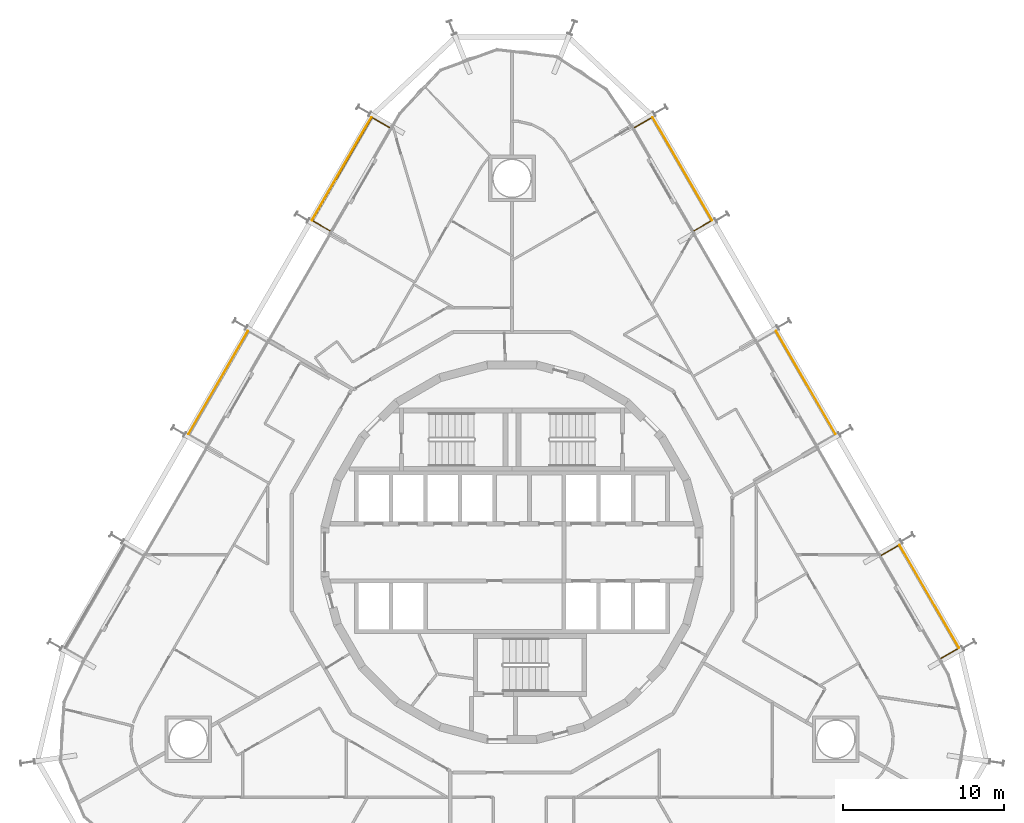
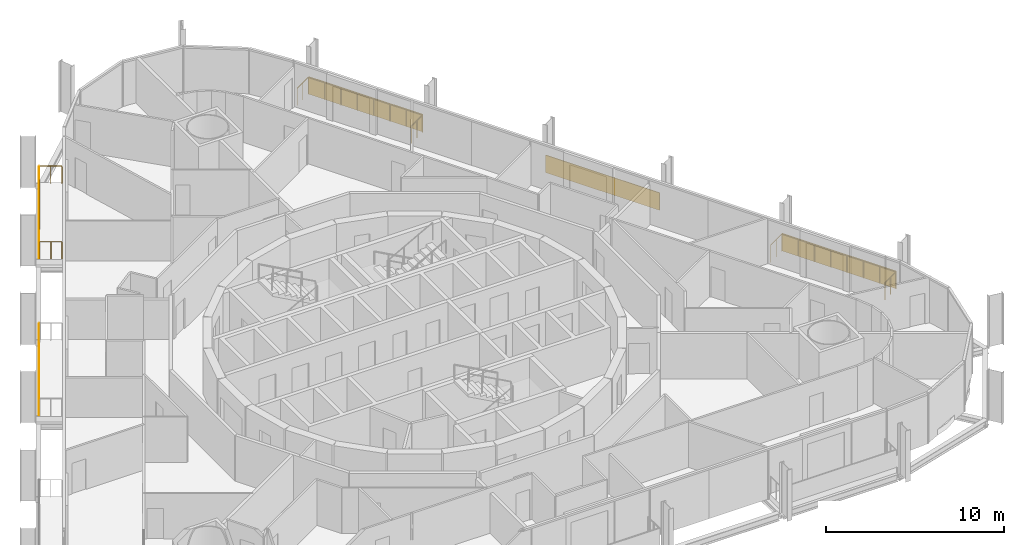
# One storey, part 20 of 20: 5 shading devices, 3 railings.
"""IFC4 building model written with IfcOpenShell, lengths in metres."""

from ifc_helpers import new_model, si_unit, direction, frame, origin, origin_2d, place, context, subcontext, project, spatial, rectangle, circle, extrude, material, layer, layer_set, type_object, element, save


model = new_model("IFC4")

# Units and contexts
model_context = context("Model", 3, precision=1e-05, world=origin(), true_north=direction((0.0, 1.0)))
body_context = subcontext(model_context, "Body", "Model", "MODEL_VIEW")
ifc_project = project(units=[si_unit("LENGTHUNIT", "METRE"), si_unit("AREAUNIT", "SQUARE_METRE"), si_unit("VOLUMEUNIT", "CUBIC_METRE"), si_unit("PLANEANGLEUNIT", "RADIAN"), si_unit("MASSUNIT", "GRAM", prefix="KILO")], contexts=[model_context])

# Site, building, storey
site_placement = place(None, origin())
site = spatial("IfcSite", under=ifc_project, at=site_placement, CompositionType="ELEMENT")
building_placement = place(site_placement, origin())
building = spatial("IfcBuilding", under=site, at=building_placement, Name="Spindle Arch Residences", CompositionType="ELEMENT")
storey_placement = place(building_placement, frame((0.0, 0.0, 41.89990234375)))
storey = spatial("IfcBuildingStorey", under=building, at=storey_placement, Name="L08", CompositionType="ELEMENT", Elevation=41.89990234375)

# Railings
ifc_material_1 = material(Name="Bronze anodised aluminium guard with glass infill", Category="aluminium")
railing_type = type_object("IfcRailingType", Name="Balcony guard 1200", PredefinedType="GUARDRAIL", material=ifc_material_1)
railing_1_placement = place(storey_placement, frame((26.697021484375, -6.60107421875, 0.0)))
element("IfcRailing", 1, at=railing_1_placement, inside=storey, type_object=railing_type, Name="Guard L08 bay 6", PredefinedType="GUARDRAIL", context=body_context, shape_type="SweptSolid", body=[
    extrude(circle(Radius=0.02392578125, at=origin_2d()), frame((0.0, 0.0, 1.17578125), z_axis=(0.866071776036, 0.499919672301, 0.0), x_axis=(-0.499919672301, 0.866071776036, 0.0)), (0.0, 0.0, 1.0), 1.250244140625),
    extrude(circle(Radius=0.02392578125, at=origin_2d()), frame((1.082763671875, 0.625, 1.17578125), z_axis=(-0.499994337101, 0.866028673236, 0.0), x_axis=(-0.866028673236, -0.499994337101, 0.0)), (0.0, 0.0, 1.0), 7.41015625),
    extrude(circle(Radius=0.02392578125, at=origin_2d()), frame((-2.622314453125, 7.04248046875, 1.17578125), z_axis=(-0.866022959057, -0.500004234368, 0.0), x_axis=(0.500004234368, -0.866022959057, 0.0)), (0.0, 0.0, 1.0), 1.25),
    extrude(circle(Radius=0.02099609375, at=origin_2d()), origin(), (0.0, 0.0, 1.0), 1.15185546875),
    extrude(circle(Radius=0.02099609375, at=origin_2d()), frame((0.54150390625, 0.3125, 0.0)), (0.0, 0.0, 1.0), 1.15185546875),
    extrude(circle(Radius=0.02099609375, at=origin_2d()), frame((1.082763671875, 0.625, 0.0)), (0.0, 0.0, 1.0), 1.15185546875),
    extrude(circle(Radius=0.02099609375, at=origin_2d()), frame((0.553466796875, 1.541748046875, 0.0)), (0.0, 0.0, 1.0), 1.15185546875),
    extrude(circle(Radius=0.02099609375, at=origin_2d()), frame((0.024169921875, 2.45849609375, 0.0)), (0.0, 0.0, 1.0), 1.15185546875),
    extrude(circle(Radius=0.02099609375, at=origin_2d()), frame((-0.505126953125, 3.375244140625, 0.0)), (0.0, 0.0, 1.0), 1.15185546875),
    extrude(circle(Radius=0.02099609375, at=origin_2d()), frame((-1.034423828125, 4.292236328125, 0.0)), (0.0, 0.0, 1.0), 1.15185546875),
    extrude(circle(Radius=0.02099609375, at=origin_2d()), frame((-1.563720703125, 5.208984375, 0.0)), (0.0, 0.0, 1.0), 1.15185546875),
    extrude(circle(Radius=0.02099609375, at=origin_2d()), frame((-2.093017578125, 6.125732421875, 0.0)), (0.0, 0.0, 1.0), 1.15185546875),
    extrude(circle(Radius=0.02099609375, at=origin_2d()), frame((-2.622314453125, 7.04248046875, 0.0)), (0.0, 0.0, 1.0), 1.15185546875),
    extrude(circle(Radius=0.02099609375, at=origin_2d()), frame((-3.16357421875, 6.72998046875, 0.0)), (0.0, 0.0, 1.0), 1.15185546875),
    extrude(circle(Radius=0.02099609375, at=origin_2d()), frame((-3.704833984375, 6.41748046875, 0.0)), (0.0, 0.0, 1.0), 1.15185546875),
])
railing_2_placement = place(storey_placement, frame((11.3369140625, 20.003662109375, 0.0)))
element("IfcRailing", 2, at=railing_2_placement, inside=storey, type_object=railing_type, Name="Guard L08 bay 10", PredefinedType="GUARDRAIL", context=body_context, shape_type="SweptSolid", body=[
    extrude(circle(Radius=0.02392578125, at=origin_2d()), frame((0.0, 0.0, 1.17578125), z_axis=(0.866022959057, 0.500004234368, 0.0), x_axis=(-0.500004234368, 0.866022959057, 0.0)), (0.0, 0.0, 1.0), 1.25),
    extrude(circle(Radius=0.02392578125, at=origin_2d()), frame((1.08251953125, 0.625, 1.17578125), z_axis=(-0.499983892715, 0.86603470313, 0.0), x_axis=(-0.86603470313, -0.499983892715, 0.0)), (0.0, 0.0, 1.0), 7.409912109375),
    extrude(circle(Radius=0.02392578125, at=origin_2d()), frame((-2.622314453125, 7.042236328125, 1.17578125), z_axis=(-0.866071776036, -0.499919672301, 0.0), x_axis=(0.499919672301, -0.866071776036, 0.0)), (0.0, 0.0, 1.0), 1.250244140625),
    extrude(circle(Radius=0.02099609375, at=origin_2d()), origin(), (0.0, 0.0, 1.0), 1.15185546875),
    extrude(circle(Radius=0.02099609375, at=origin_2d()), frame((0.541259765625, 0.3125, 0.0)), (0.0, 0.0, 1.0), 1.15185546875),
    extrude(circle(Radius=0.02099609375, at=origin_2d()), frame((1.08251953125, 0.625, 0.0)), (0.0, 0.0, 1.0), 1.15185546875),
    extrude(circle(Radius=0.02099609375, at=origin_2d()), frame((0.55322265625, 1.541748046875, 0.0)), (0.0, 0.0, 1.0), 1.15185546875),
    extrude(circle(Radius=0.02099609375, at=origin_2d()), frame((0.02392578125, 2.45849609375, 0.0)), (0.0, 0.0, 1.0), 1.15185546875),
    extrude(circle(Radius=0.02099609375, at=origin_2d()), frame((-0.50537109375, 3.375244140625, 0.0)), (0.0, 0.0, 1.0), 1.15185546875),
    extrude(circle(Radius=0.02099609375, at=origin_2d()), frame((-1.034423828125, 4.2919921875, 0.0)), (0.0, 0.0, 1.0), 1.15185546875),
    extrude(circle(Radius=0.02099609375, at=origin_2d()), frame((-1.563720703125, 5.208740234375, 0.0)), (0.0, 0.0, 1.0), 1.15185546875),
    extrude(circle(Radius=0.02099609375, at=origin_2d()), frame((-2.093017578125, 6.12548828125, 0.0)), (0.0, 0.0, 1.0), 1.15185546875),
    extrude(circle(Radius=0.02099609375, at=origin_2d()), frame((-2.622314453125, 7.042236328125, 0.0)), (0.0, 0.0, 1.0), 1.15185546875),
    extrude(circle(Radius=0.02099609375, at=origin_2d()), frame((-3.16357421875, 6.729736328125, 0.0)), (0.0, 0.0, 1.0), 1.15185546875),
    extrude(circle(Radius=0.02099609375, at=origin_2d()), frame((-3.705078125, 6.417236328125, 0.0)), (0.0, 0.0, 1.0), 1.15185546875),
])
railing_3_placement = place(storey_placement, frame((-7.6318359375, 26.4208984375, 0.0)))
element("IfcRailing", 3, at=railing_3_placement, inside=storey, type_object=railing_type, Name="Guard L08 bay 14", PredefinedType="GUARDRAIL", context=body_context, shape_type="SweptSolid", body=[
    extrude(circle(Radius=0.02392578125, at=origin_2d()), frame((0.0, 0.0, 1.17578125), z_axis=(-0.866071776036, 0.499919672301, 0.0), x_axis=(-0.499919672301, -0.866071776036, 0.0)), (0.0, 0.0, 1.0), 1.250244140625),
    extrude(circle(Radius=0.02392578125, at=origin_2d()), frame((-1.082763671875, 0.625, 1.17578125), z_axis=(-0.499983892715, -0.86603470313, 0.0), x_axis=(0.86603470313, -0.499983892715, 0.0)), (0.0, 0.0, 1.0), 7.409912109375),
    extrude(circle(Radius=0.02392578125, at=origin_2d()), frame((-4.78759765625, -5.792236328125, 1.17578125), z_axis=(0.866022959057, -0.500004234368, 0.0), x_axis=(0.500004234368, 0.866022959057, 0.0)), (0.0, 0.0, 1.0), 1.25),
    extrude(circle(Radius=0.02099609375, at=origin_2d()), origin(), (0.0, 0.0, 1.0), 1.15185546875),
    extrude(circle(Radius=0.02099609375, at=origin_2d()), frame((-0.54150390625, 0.3125, 0.0)), (0.0, 0.0, 1.0), 1.15185546875),
    extrude(circle(Radius=0.02099609375, at=origin_2d()), frame((-1.082763671875, 0.625, 0.0)), (0.0, 0.0, 1.0), 1.15185546875),
    extrude(circle(Radius=0.02099609375, at=origin_2d()), frame((-1.612060546875, -0.291748046875, 0.0)), (0.0, 0.0, 1.0), 1.15185546875),
    extrude(circle(Radius=0.02099609375, at=origin_2d()), frame((-2.141357421875, -1.20849609375, 0.0)), (0.0, 0.0, 1.0), 1.15185546875),
    extrude(circle(Radius=0.02099609375, at=origin_2d()), frame((-2.670654296875, -2.125244140625, 0.0)), (0.0, 0.0, 1.0), 1.15185546875),
    extrude(circle(Radius=0.02099609375, at=origin_2d()), frame((-3.19970703125, -3.0419921875, 0.0)), (0.0, 0.0, 1.0), 1.15185546875),
    extrude(circle(Radius=0.02099609375, at=origin_2d()), frame((-3.72900390625, -3.958740234375, 0.0)), (0.0, 0.0, 1.0), 1.15185546875),
    extrude(circle(Radius=0.02099609375, at=origin_2d()), frame((-4.25830078125, -4.87548828125, 0.0)), (0.0, 0.0, 1.0), 1.15185546875),
    extrude(circle(Radius=0.02099609375, at=origin_2d()), frame((-4.78759765625, -5.792236328125, 0.0)), (0.0, 0.0, 1.0), 1.15185546875),
    extrude(circle(Radius=0.02099609375, at=origin_2d()), frame((-4.246337890625, -6.104736328125, 0.0)), (0.0, 0.0, 1.0), 1.15185546875),
    extrude(circle(Radius=0.02099609375, at=origin_2d()), frame((-3.705078125, -6.417236328125, 0.0)), (0.0, 0.0, 1.0), 1.15185546875),
])

# Shading devices
ifc_material_2 = material(Name="Bronze perforated cobogo screen")
ifc_layer = layer(ifc_material_2, 0.0390625)
ifc_layer_set = layer_set([ifc_layer], Name="Cobogo screen 1200")
shading_device_type = type_object("IfcShadingDeviceType", Name="Cobogo screen 1200", PredefinedType="USERDEFINED", material=ifc_layer_set)
for number, where, z_axis, x_axis, name in (
    (4, (25.962158203125, -2.7470703125, 0.0), (0.0, 0.0, 1.0), (-0.5, 0.866025403784, 0.0), "Cobogo screen L08 bay 6"),
    (5, (18.2822265625, 10.55517578125, 0.0), (0.0, 0.0, 1.0), (-0.5, 0.866025403784, 0.0), "Cobogo screen L08 bay 8"),
    (6, (10.60205078125, 23.857421875, 0.0), (0.0, 0.0, 1.0), (-0.5, 0.866025403784, 0.0), "Cobogo screen L08 bay 10"),
    (7, (-10.60205078125, 23.857421875, 0.0), (0.0, 0.0, 1.0), (-0.5, -0.866025403784, 0.0), "Cobogo screen L08 bay 14"),
    (8, (-18.2822265625, 10.55517578125, 0.0), (0.0, 0.0, 1.0), (-0.5, -0.866025403784, 0.0), "Cobogo screen L08 bay 16"),
):
    element("IfcShadingDevice", number, at=place(storey_placement, frame(where, z_axis=z_axis, x_axis=x_axis)), inside=storey, type_object=shading_device_type, Name=name, ObjectType="SCREEN", PredefinedType="USERDEFINED", context=body_context, shape_type="SweptSolid", body=[
        extrude(rectangle(XDim=7.41015625, YDim=0.0390625, at=origin_2d()), origin(), (0.0, 0.0, 1.0), 1.199951171875),
    ])

save(model, "model.ifc")
